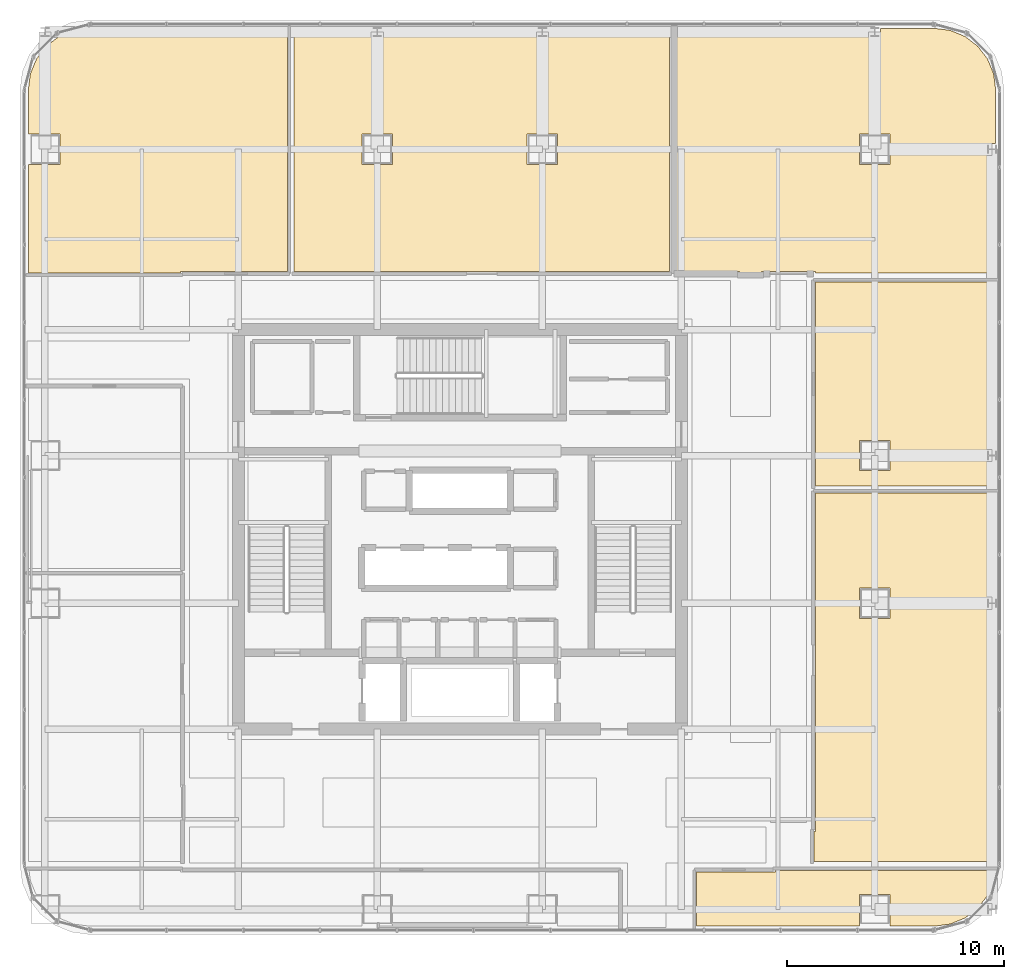
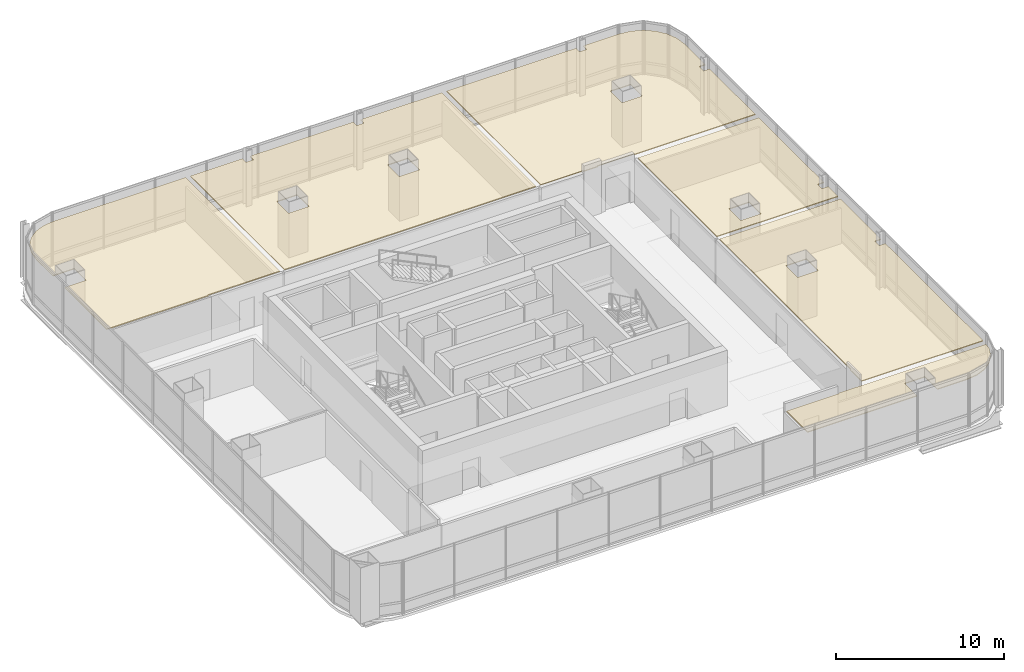
# One storey, part 40 of 40: 6 coverings.
"""IFC4 building model written with IfcOpenShell, lengths in metres."""

from ifc_helpers import new_model, si_unit, direction, frame, origin, place, context, subcontext, project, spatial, polyline, outline, extrude, material, layer, layer_set, type_object, element, save


model = new_model("IFC4")

# Units and contexts
model_context = context("Model", 3, precision=1e-05, world=origin(), true_north=direction((0.0, 1.0)))
body_context = subcontext(model_context, "Body", "Model", "MODEL_VIEW")
ifc_project = project(units=[si_unit("LENGTHUNIT", "METRE"), si_unit("AREAUNIT", "SQUARE_METRE"), si_unit("VOLUMEUNIT", "CUBIC_METRE"), si_unit("PLANEANGLEUNIT", "RADIAN"), si_unit("MASSUNIT", "GRAM", prefix="KILO")], contexts=[model_context])

# Site, building, storey
site_placement = place(None, origin())
site = spatial("IfcSite", under=ifc_project, at=site_placement, CompositionType="ELEMENT")
building_placement = place(site_placement, origin())
building = spatial("IfcBuilding", under=site, at=building_placement, Name="Punatoya Terracotta Tower", CompositionType="ELEMENT")
storey_placement = place(building_placement, frame((0.0, 0.0, 271.64990234375)))
storey = spatial("IfcBuildingStorey", under=building, at=storey_placement, Name="L64", CompositionType="ELEMENT", Elevation=271.64990234375)

# Coverings
ifc_material = material(Name="Acoustic Mineral Fibre Ceiling")
ifc_layer = layer(ifc_material, 0.06005859375)
ifc_layer_set = layer_set([ifc_layer], Name="Acoustic Mineral Fibre Ceiling")
covering_type = type_object("IfcCoveringType", Name="COV-CEIL-60", PredefinedType="CEILING", material=ifc_layer_set)
covering_1_placement = place(storey_placement, frame((0.0, 0.0, 3.239990234375)))
element("IfcCovering", 1, at=covering_1_placement, inside=storey, type_object=covering_type, Name="L64 Open-Plan Occupational Rest Lounge Acoustic Ceiling", PredefinedType="CEILING", context=body_context, shape_type="SweptSolid", body=[
    extrude(outline(polyline([(10.89404296875, -15.77001953125), (10.89404296875, -18.27001953125), (18.39990234375, -18.27001953125), (18.39990234375, -16.800048828125), (19.800048828125, -16.800048828125), (19.800048828125, -18.27001953125), (21.8251953125, -18.27001953125), (22.5791015625, -18.1708984375), (23.25830078125, -17.889404296875), (23.841796875, -17.441650390625), (24.289306640625, -16.8583984375), (24.57080078125, -16.178955078125), (24.632568359375, -15.7099609375), (14.52001953125, -15.7099609375), (14.52001953125, -15.77001953125), (10.89404296875, -15.77001953125)])), origin(), (0.0, 0.0, 1.0), 0.06005859375),
])
covering_2_placement = place(storey_placement, frame((0.0, 0.0, 3.239990234375)))
element("IfcCovering", 2, at=covering_2_placement, inside=storey, type_object=covering_type, Name="L64 Open-Plan Leadership Training Classroom Acoustic Ceiling", PredefinedType="CEILING", context=body_context, shape_type="SweptSolid", body=[
    extrude(outline(polyline([(16.31005859375, -13.919921875), (16.31005859375, -15.2900390625), (24.669921875, -15.2900390625), (24.669921875, -3.657958984375), (24.2470703125, -3.657958984375), (24.2470703125, -3.14208984375), (24.669921875, -3.14208984375), (24.669921875, 1.669921875), (16.3701171875, 1.669921875), (16.3701171875, -13.919921875), (16.31005859375, -13.919921875)]), holes=[polyline([(18.39990234375, -4.10009765625), (18.39990234375, -2.699951171875), (19.800048828125, -2.699951171875), (19.800048828125, -4.10009765625), (18.39990234375, -4.10009765625)])]), origin(), (0.0, 0.0, 1.0), 0.06005859375),
])
covering_3_placement = place(storey_placement, frame((0.0, 0.0, 3.239990234375)))
element("IfcCovering", 3, at=covering_3_placement, inside=storey, type_object=covering_type, Name="L64 Open-Plan Mindfulness Wellness Room Acoustic Ceiling", PredefinedType="CEILING", context=body_context, shape_type="SweptSolid", body=[
    extrude(outline(polyline([(24.669921875, 3.657958984375), (24.669921875, 11.389892578125), (16.3701171875, 11.389892578125), (16.3701171875, 1.989990234375), (24.669921875, 1.989990234375), (24.669921875, 3.14208984375), (24.2470703125, 3.14208984375), (24.2470703125, 3.657958984375), (24.669921875, 3.657958984375)]), holes=[polyline([(18.39990234375, 4.10009765625), (19.800048828125, 4.10009765625), (19.800048828125, 2.699951171875), (18.39990234375, 2.699951171875), (18.39990234375, 4.10009765625)])]), origin(), (0.0, 0.0, 1.0), 0.06005859375),
])
covering_4_placement = place(storey_placement, frame((0.0, 0.0, 3.239990234375)))
element("IfcCovering", 4, at=covering_4_placement, inside=storey, type_object=covering_type, Name="L64 Open-Plan Cultural Reading Library Acoustic Ceiling", PredefinedType="CEILING", context=body_context, shape_type="SweptSolid", body=[
    extrude(outline(polyline([(-19.8701171875, 16.800048828125), (-19.8701171875, 11.81005859375), (-12.8701171875, 11.81005859375), (-12.8701171875, 11.8701171875), (-7.946044921875, 11.8701171875), (-7.946044921875, 23.070068359375), (-17.025146484375, 23.070068359375), (-17.779052734375, 22.970703125), (-18.458251953125, 22.689453125), (-19.041748046875, 22.24169921875), (-19.489501953125, 21.658203125), (-19.770751953125, 20.97900390625), (-19.8701171875, 20.22509765625), (-19.8701171875, 18.199951171875), (-18.39990234375, 18.199951171875), (-18.39990234375, 16.800048828125), (-19.8701171875, 16.800048828125)])), origin(), (0.0, 0.0, 1.0), 0.06005859375),
])
covering_5_placement = place(storey_placement, frame((0.0, 0.0, 3.239990234375)))
element("IfcCovering", 5, at=covering_5_placement, inside=storey, type_object=covering_type, Name="L64 Fitness Movement Lounge Acoustic Ceiling", PredefinedType="CEILING", context=body_context, shape_type="SweptSolid", body=[
    extrude(outline(polyline([(12.8701171875, 11.81005859375), (13.8798828125, 11.81005859375), (13.8798828125, 11.8701171875), (16.3701171875, 11.8701171875), (16.3701171875, 11.81005859375), (24.669921875, 11.81005859375), (24.669921875, 17.241943359375), (24.2470703125, 17.241943359375), (24.2470703125, 17.758056640625), (24.669921875, 17.758056640625), (24.669921875, 20.22509765625), (24.57080078125, 20.97900390625), (24.289306640625, 21.658203125), (23.841796875, 22.24169921875), (23.25830078125, 22.689453125), (22.5791015625, 22.970703125), (21.8251953125, 23.070068359375), (19.35302734375, 23.070068359375), (19.35302734375, 22.64208984375), (18.846923828125, 22.64208984375), (18.846923828125, 23.070068359375), (9.968017578125, 23.070068359375), (9.968017578125, 11.8701171875), (12.8701171875, 11.8701171875), (12.8701171875, 11.81005859375)]), holes=[polyline([(19.800048828125, 18.199951171875), (19.800048828125, 16.800048828125), (18.39990234375, 16.800048828125), (18.39990234375, 18.199951171875), (19.800048828125, 18.199951171875)])]), origin(), (0.0, 0.0, 1.0), 0.06005859375),
])
covering_6_placement = place(storey_placement, frame((0.0, 0.0, 3.239990234375)))
element("IfcCovering", 6, at=covering_6_placement, inside=storey, type_object=covering_type, Name="L64 Seminar Discussion Room Acoustic Ceiling", PredefinedType="CEILING", context=body_context, shape_type="SweptSolid", body=[
    extrude(outline(polyline([(3.547119140625, 23.070068359375), (-3.547119140625, 23.070068359375), (-3.547119140625, 22.64208984375), (-4.052978515625, 22.64208984375), (-4.052978515625, 23.070068359375), (-7.6259765625, 23.070068359375), (-7.6259765625, 11.8701171875), (9.64794921875, 11.8701171875), (9.64794921875, 23.070068359375), (4.052978515625, 23.070068359375), (4.052978515625, 22.64208984375), (3.547119140625, 22.64208984375), (3.547119140625, 23.070068359375)]), holes=[polyline([(4.5, 16.800048828125), (3.10009765625, 16.800048828125), (3.10009765625, 18.199951171875), (4.5, 18.199951171875), (4.5, 16.800048828125)]), polyline([(-4.5, 16.800048828125), (-4.5, 18.199951171875), (-3.10009765625, 18.199951171875), (-3.10009765625, 16.800048828125), (-4.5, 16.800048828125)])]), origin(), (0.0, 0.0, 1.0), 0.06005859375),
])

save(model, "model.ifc")
